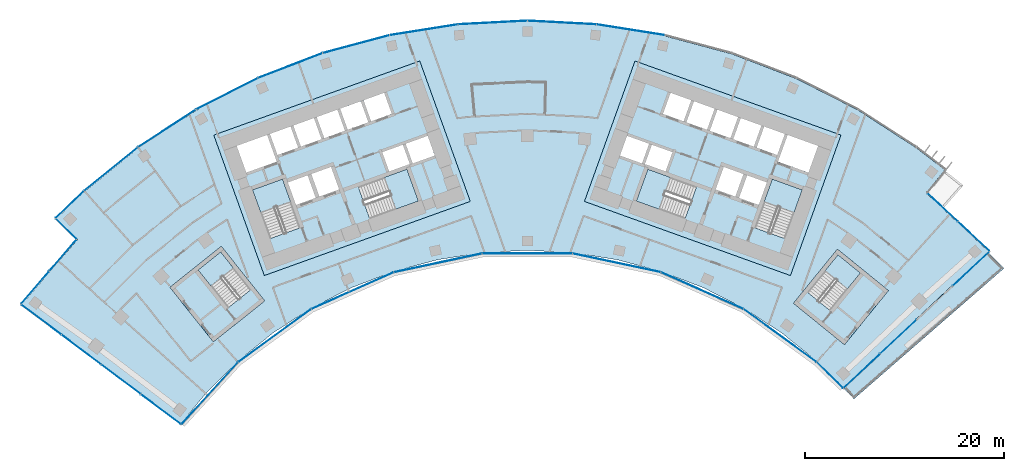
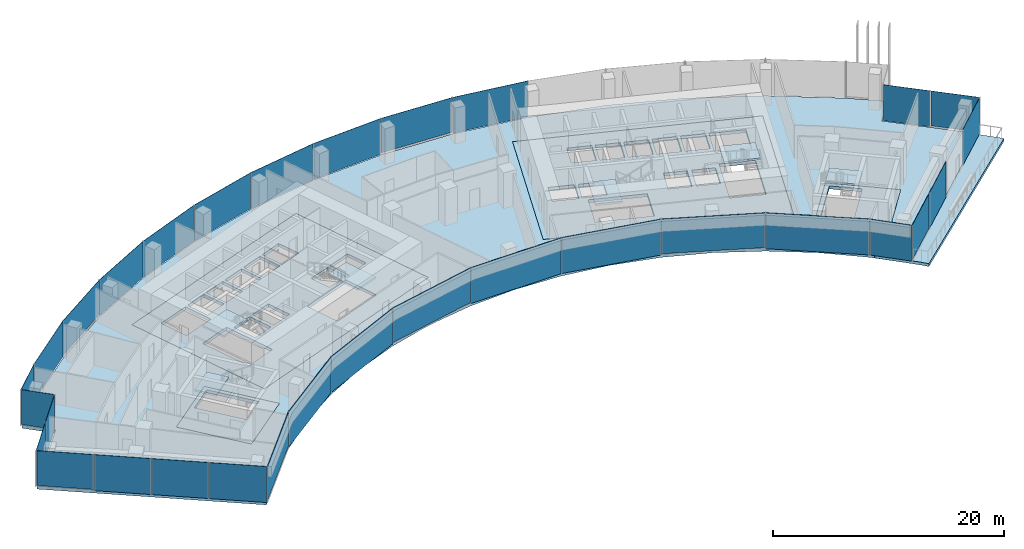
# One storey, part 11 of 20: 31 plates, 12 slabs, 13 elements without a shape of their own.
"""IFC4 building model written with IfcOpenShell, lengths in metres."""

from ifc_helpers import new_model, si_unit, direction, frame, origin, origin_2d, place, context, subcontext, project, spatial, polyline, rectangle, outline, extrude, material, layer, layer_set, type_object, element, aggregate, save


model = new_model("IFC4")

# Units and contexts
model_context = context("Model", 3, precision=1e-05, world=origin(), true_north=direction((0.0, 1.0)))
body_context = subcontext(model_context, "Body", "Model", "MODEL_VIEW")
ifc_project = project(units=[si_unit("LENGTHUNIT", "METRE"), si_unit("AREAUNIT", "SQUARE_METRE"), si_unit("VOLUMEUNIT", "CUBIC_METRE"), si_unit("PLANEANGLEUNIT", "RADIAN"), si_unit("MASSUNIT", "GRAM", prefix="KILO")], contexts=[model_context])

# Site, building, storey
site_placement = place(None, origin())
site = spatial("IfcSite", under=ifc_project, at=site_placement, CompositionType="ELEMENT")
building_placement = place(site_placement, origin())
building = spatial("IfcBuilding", under=site, at=building_placement, Name="Stone Belt Terrace Tower", CompositionType="ELEMENT")
storey_placement = place(building_placement, frame((0.0, 0.0, 182.0)))
storey = spatial("IfcBuildingStorey", under=building, at=storey_placement, Name="L44", CompositionType="ELEMENT", Elevation=182.0)

# Curtain wall, plates
ifc_material_1 = material(Name="Aluminium 6063-T6 anodised frame", Category="aluminium")
ifc_layer_1 = layer(ifc_material_1, 0.14990234375)
ifc_layer_set_1 = layer_set([ifc_layer_1], Name="CW-A unitised convex-face curtain wall")
curtain_wall_type_1 = type_object("IfcCurtainWallType", Name="CW-A unitised convex-face curtain wall", PredefinedType="NOTDEFINED", material=ifc_layer_set_1)
curtain_wall_1_placement = place(storey_placement, origin())
curtain_wall_1 = element("IfcCurtainWall", 1, at=curtain_wall_1_placement, inside=storey, type_object=curtain_wall_type_1, Name="CW-A convex face L44", PredefinedType="NOTDEFINED")
ifc_material_2 = material(Name="Clear double glazed unit")
ifc_layer_2 = layer(ifc_material_2, 0.031982421875)
ifc_layer_set_2 = layer_set([ifc_layer_2], Name="CW-A glass panel 32")
plate_type_1 = type_object("IfcPlateType", Name="CW-A glass panel 32", PredefinedType="CURTAIN_PANEL", material=ifc_layer_set_2)
plate_1_placement = place(storey_placement, frame((10.400390625, 65.665283203125, 0.0), z_axis=(0.0, 0.0, 1.0), x_axis=(-0.987688340595, 0.15643446504, 0.0)))
plate_1 = element("IfcPlate", 2, at=plate_1_placement, type_object=plate_type_1, Name="CW-A panel 6.1", PredefinedType="CURTAIN_PANEL", context=body_context, shape_type="SweptSolid", body=[
    extrude(rectangle(XDim=6.90087890625, YDim=0.031982421875, at=origin_2d()), origin(), (0.0, 0.0, 1.0), 3.800048828125),
])
plate_2_placement = place(storey_placement, frame((3.4794921875, 66.392822265625, 0.14013671875), z_axis=(0.0, 0.0, 1.0), x_axis=(-0.998629534755, 0.052335956243, 0.0)))
plate_2 = element("IfcPlate", 3, at=plate_2_placement, type_object=plate_type_1, Name="CW-A panel 7.1", PredefinedType="CURTAIN_PANEL", context=body_context, shape_type="SweptSolid", body=[
    extrude(rectangle(XDim=6.90087890625, YDim=0.031982421875, at=origin_2d()), origin(), (0.0, 0.0, 1.0), 3.659912109375),
])
plate_3_placement = place(storey_placement, frame((-3.4794921875, 66.392822265625, 0.0), z_axis=(0.0, 0.0, 1.0), x_axis=(-0.998629534755, -0.052335956243, 0.0)))
plate_3 = element("IfcPlate", 4, at=plate_3_placement, type_object=plate_type_1, Name="CW-A panel 8.1", PredefinedType="CURTAIN_PANEL", context=body_context, shape_type="SweptSolid", body=[
    extrude(rectangle(XDim=6.90087890625, YDim=0.031982421875, at=origin_2d()), origin(), (0.0, 0.0, 1.0), 3.800048828125),
])
plate_4_placement = place(storey_placement, frame((-10.400390625, 65.665283203125, 0.0), z_axis=(0.0, 0.0, 1.0), x_axis=(-0.987688340595, -0.15643446504, 0.0)))
plate_4 = element("IfcPlate", 5, at=plate_4_placement, type_object=plate_type_1, Name="CW-A panel 9.1", PredefinedType="CURTAIN_PANEL", context=body_context, shape_type="SweptSolid", body=[
    extrude(rectangle(XDim=6.90087890625, YDim=0.031982421875, at=origin_2d()), origin(), (0.0, 0.0, 1.0), 3.800048828125),
])
plate_5_placement = place(storey_placement, frame((-17.207275390625, 64.218505859375, 0.0), z_axis=(0.0, 0.0, 1.0), x_axis=(-0.965925826289, -0.258819045103, 0.0)))
plate_5 = element("IfcPlate", 6, at=plate_5_placement, type_object=plate_type_1, Name="CW-A panel 10.1", PredefinedType="CURTAIN_PANEL", context=body_context, shape_type="SweptSolid", body=[
    extrude(rectangle(XDim=6.90087890625, YDim=0.031982421875, at=origin_2d()), origin(), (0.0, 0.0, 1.0), 3.800048828125),
])
plate_6_placement = place(storey_placement, frame((-23.82568359375, 62.068115234375, 0.0), z_axis=(0.0, 0.0, 1.0), x_axis=(-0.933580426497, -0.358367949545, 0.0)))
plate_6 = element("IfcPlate", 7, at=plate_6_placement, type_object=plate_type_1, Name="CW-A panel 11.1", PredefinedType="CURTAIN_PANEL", context=body_context, shape_type="SweptSolid", body=[
    extrude(rectangle(XDim=6.90087890625, YDim=0.031982421875, at=origin_2d()), origin(), (0.0, 0.0, 1.0), 3.800048828125),
])
plate_7_placement = place(storey_placement, frame((-30.18310546875, 59.237548828125, 0.0), z_axis=(0.0, 0.0, 1.0), x_axis=(-0.891006524188, -0.45399049974, 0.0)))
plate_7 = element("IfcPlate", 8, at=plate_7_placement, type_object=plate_type_1, Name="CW-A panel 12.1", PredefinedType="CURTAIN_PANEL", context=body_context, shape_type="SweptSolid", body=[
    extrude(rectangle(XDim=6.90087890625, YDim=0.031982421875, at=origin_2d()), origin(), (0.0, 0.0, 1.0), 3.800048828125),
])
plate_8_placement = place(storey_placement, frame((-36.209716796875, 55.758056640625, 0.14013671875), z_axis=(0.0, 0.0, 1.0), x_axis=(-0.838670567945, -0.544639035015, 0.0)))
plate_8 = element("IfcPlate", 9, at=plate_8_placement, type_object=plate_type_1, Name="CW-A panel 13.1", PredefinedType="CURTAIN_PANEL", context=body_context, shape_type="SweptSolid", body=[
    extrude(rectangle(XDim=6.90087890625, YDim=0.031982421875, at=origin_2d()), origin(), (0.0, 0.0, 1.0), 3.659912109375),
])
plate_9_placement = place(storey_placement, frame((-41.839599609375, 51.667724609375, 0.0), z_axis=(0.0, 0.0, 1.0), x_axis=(-0.777145961457, -0.62932039105, 0.0)))
plate_9 = element("IfcPlate", 10, at=plate_9_placement, type_object=plate_type_1, Name="CW-A panel 14.1", PredefinedType="CURTAIN_PANEL", context=body_context, shape_type="SweptSolid", body=[
    extrude(rectangle(XDim=6.900634765625, YDim=0.031982421875, at=origin_2d()), origin(), (0.0, 0.0, 1.0), 3.800048828125),
])
plate_10_placement = place(storey_placement, frame((-45.9765625, 48.109619140625, 0.0), z_axis=(0.0, 0.0, 1.0), x_axis=(-0.723120883539, -0.690721497993, 0.0)))
plate_10 = element("IfcPlate", 11, at=plate_10_placement, type_object=plate_type_1, Name="CW-A panel 15.1", PredefinedType="CURTAIN_PANEL", context=body_context, shape_type="SweptSolid", body=[
    extrude(rectangle(XDim=3.888671875, YDim=0.031982421875, at=origin_2d()), origin(), (0.0, 0.0, 1.0), 3.800048828125),
])
aggregate(curtain_wall_1, [plate_1, plate_2, plate_3, plate_4, plate_5, plate_6, plate_7, plate_8, plate_9, plate_10])

ifc_layer_3 = layer(ifc_material_1, 0.14990234375)
ifc_layer_set_3 = layer_set([ifc_layer_3], Name="CW-B unitised concave-face curtain wall")
curtain_wall_type_2 = type_object("IfcCurtainWallType", Name="CW-B unitised concave-face curtain wall", PredefinedType="NOTDEFINED", material=ifc_layer_set_3)
curtain_wall_2_placement = place(storey_placement, origin())
curtain_wall_2 = element("IfcCurtainWall", 12, at=curtain_wall_2_placement, inside=storey, type_object=curtain_wall_type_2, Name="CW-B concave face L44", PredefinedType="NOTDEFINED")
ifc_layer_4 = layer(ifc_material_2, 0.030029296875)
ifc_layer_set_4 = layer_set([ifc_layer_4], Name="CW-B glass panel 30")
plate_type_2 = type_object("IfcPlateType", Name="CW-B glass panel 30", PredefinedType="CURTAIN_PANEL", material=ifc_layer_set_4)
plate_11_placement = place(storey_placement, frame((-31.9111328125, 29.148681640625, 0.1201171875), z_axis=(0.0, 0.0, 1.0), x_axis=(0.674760998748, 0.73803630979, 0.0)))
plate_11 = element("IfcPlate", 13, at=plate_11_placement, type_object=plate_type_2, Name="CW-B panel 1.1", PredefinedType="CURTAIN_PANEL", context=body_context, shape_type="SweptSolid", body=[
    extrude(rectangle(XDim=8.39501953125, YDim=0.030029296875, at=origin_2d()), origin(), (0.0, 0.0, 1.0), 3.679931640625),
])
plate_12_placement = place(storey_placement, frame((-25.384765625, 34.938720703125, 0.0), z_axis=(0.0, 0.0, 1.0), x_axis=(0.809016994375, 0.587785252292, 0.0)))
plate_12 = element("IfcPlate", 14, at=plate_12_placement, type_object=plate_type_2, Name="CW-B panel 2.1", PredefinedType="CURTAIN_PANEL", context=body_context, shape_type="SweptSolid", body=[
    extrude(rectangle(XDim=9.013427734375, YDim=0.030029296875, at=origin_2d()), origin(), (0.0, 0.0, 1.0), 3.800048828125),
])
plate_13_placement = place(storey_placement, frame((-17.565673828125, 39.453125, 0.0), z_axis=(0.0, 0.0, 1.0), x_axis=(0.913545457643, 0.406736643076, 0.0)))
plate_13 = element("IfcPlate", 15, at=plate_13_placement, type_object=plate_type_2, Name="CW-B panel 3.1", PredefinedType="CURTAIN_PANEL", context=body_context, shape_type="SweptSolid", body=[
    extrude(rectangle(XDim=9.0126953125, YDim=0.030029296875, at=origin_2d()), origin(), (0.0, 0.0, 1.0), 3.800048828125),
])
plate_14_placement = place(storey_placement, frame((-8.97900390625, 42.242919921875, 0.1201171875), z_axis=(0.0, 0.0, 1.0), x_axis=(0.978147600734, 0.207911690818, 0.0)))
plate_14 = element("IfcPlate", 16, at=plate_14_placement, type_object=plate_type_2, Name="CW-B panel 4.1", PredefinedType="CURTAIN_PANEL", context=body_context, shape_type="SweptSolid", body=[
    extrude(rectangle(XDim=9.0126953125, YDim=0.030029296875, at=origin_2d()), origin(), (0.0, 0.0, 1.0), 3.679931640625),
])
plate_15_placement = place(storey_placement, frame((0.0, 43.186767578125, 0.0), z_axis=(0.0, 0.0, 1.0), x_axis=(1.0, 0.0, 0.0)))
plate_15 = element("IfcPlate", 17, at=plate_15_placement, type_object=plate_type_2, Name="CW-B panel 5.1", PredefinedType="CURTAIN_PANEL", context=body_context, shape_type="SweptSolid", body=[
    extrude(rectangle(XDim=9.0126953125, YDim=0.030029296875, at=origin_2d()), origin(), (0.0, 0.0, 1.0), 3.800048828125),
])
plate_16_placement = place(storey_placement, frame((8.97900390625, 42.242919921875, 0.0), z_axis=(0.0, 0.0, 1.0), x_axis=(0.978147600734, -0.207911690818, 0.0)))
plate_16 = element("IfcPlate", 18, at=plate_16_placement, type_object=plate_type_2, Name="CW-B panel 6.1", PredefinedType="CURTAIN_PANEL", context=body_context, shape_type="SweptSolid", body=[
    extrude(rectangle(XDim=9.0126953125, YDim=0.030029296875, at=origin_2d()), origin(), (0.0, 0.0, 1.0), 3.800048828125),
])
plate_17_placement = place(storey_placement, frame((17.565673828125, 39.453125, 0.1201171875), z_axis=(0.0, 0.0, 1.0), x_axis=(0.913545457643, -0.406736643076, 0.0)))
plate_17 = element("IfcPlate", 19, at=plate_17_placement, type_object=plate_type_2, Name="CW-B panel 7.1", PredefinedType="CURTAIN_PANEL", context=body_context, shape_type="SweptSolid", body=[
    extrude(rectangle(XDim=9.0126953125, YDim=0.030029296875, at=origin_2d()), origin(), (0.0, 0.0, 1.0), 3.679931640625),
])
plate_18_placement = place(storey_placement, frame((25.386474609375, 34.9375, 0.0), z_axis=(0.0, 0.0, 1.0), x_axis=(0.809016994375, -0.587785252292, 0.0)))
plate_18 = element("IfcPlate", 20, at=plate_18_placement, type_object=plate_type_2, Name="CW-B panel 8.1", PredefinedType="CURTAIN_PANEL", context=body_context, shape_type="SweptSolid", body=[
    extrude(rectangle(XDim=9.017333984375, YDim=0.030029296875, at=origin_2d()), origin(), (0.0, 0.0, 1.0), 3.800048828125),
])
plate_19_placement = place(storey_placement, frame((30.39013671875, 30.9638671875, 0.0), z_axis=(0.0, 0.0, 1.0), x_axis=(0.713994037945, -0.700151779102, 0.0)))
plate_19 = element("IfcPlate", 21, at=plate_19_placement, type_object=plate_type_2, Name="CW-B panel 9.1", PredefinedType="CURTAIN_PANEL", context=body_context, shape_type="SweptSolid", body=[
    extrude(rectangle(XDim=3.66845703125, YDim=0.030029296875, at=origin_2d()), origin(), (0.0, 0.0, 1.0), 3.800048828125),
])
aggregate(curtain_wall_2, [plate_11, plate_12, plate_13, plate_14, plate_15, plate_16, plate_17, plate_18, plate_19])

ifc_layer_5 = layer(ifc_material_1, 0.14990234375)
ifc_layer_set_5 = layer_set([ifc_layer_5], Name="CW-C stick curtain wall, horn ends and notches")
curtain_wall_type_3 = type_object("IfcCurtainWallType", Name="CW-C stick curtain wall, horn ends and notches", PredefinedType="NOTDEFINED", material=ifc_layer_set_5)
curtain_wall_3_placement = place(storey_placement, origin())
curtain_wall_3 = element("IfcCurtainWall", 22, at=curtain_wall_3_placement, inside=storey, type_object=curtain_wall_type_3, Name="CW-C end face L44", PredefinedType="NOTDEFINED")
ifc_layer_6 = layer(ifc_material_2, 0.028076171875)
ifc_layer_set_6 = layer_set([ifc_layer_6], Name="CW-C glass panel 28")
plate_type_3 = type_object("IfcPlateType", Name="CW-C glass panel 28", PredefinedType="CURTAIN_PANEL", material=ifc_layer_set_6)
plate_20_placement = place(storey_placement, frame((33.616455078125, 31.37890625, 0.1201171875), z_axis=(0.0, 0.0, 1.0), x_axis=(0.729904219708, 0.683549434973, 0.0)))
plate_20 = element("IfcPlate", 23, at=plate_20_placement, type_object=plate_type_3, Name="CW-C panel 1.1", PredefinedType="CURTAIN_PANEL", context=body_context, shape_type="SweptSolid", body=[
    extrude(rectangle(XDim=4.96826171875, YDim=0.028076171875, at=origin_2d()), origin(), (0.0, 0.0, 1.0), 3.679931640625),
])
plate_21_placement = place(storey_placement, frame((37.2763671875, 34.806396484375, 0.0), z_axis=(0.0, 0.0, 1.0), x_axis=(0.729904219708, 0.683549434973, 0.0)))
plate_21 = element("IfcPlate", 24, at=plate_21_placement, type_object=plate_type_3, Name="CW-C panel 2.1", PredefinedType="CURTAIN_PANEL", context=body_context, shape_type="SweptSolid", body=[
    extrude(rectangle(XDim=4.93994140625, YDim=0.028076171875, at=origin_2d()), origin(), (0.0, 0.0, 1.0), 3.800048828125),
])
plate_22_placement = place(storey_placement, frame((44.588134765625, 41.65380859375, 0.0), z_axis=(0.0, 0.0, 1.0), x_axis=(0.729904219708, 0.683549434973, 0.0)))
plate_22 = element("IfcPlate", 25, at=plate_22_placement, type_object=plate_type_3, Name="CW-C panel 4.1", PredefinedType="CURTAIN_PANEL", context=body_context, shape_type="SweptSolid", body=[
    extrude(rectangle(XDim=4.974853515625, YDim=0.028076171875, at=origin_2d()), origin(), (0.0, 0.0, 1.0), 3.800048828125),
])
aggregate(curtain_wall_3, [plate_20, plate_21, plate_22])

curtain_wall_4_placement = place(storey_placement, origin())
curtain_wall_4 = element("IfcCurtainWall", 26, at=curtain_wall_4_placement, inside=storey, type_object=curtain_wall_type_3, Name="CW-C notch face L44", PredefinedType="NOTDEFINED")
plate_23_placement = place(storey_placement, frame((44.8427734375, 44.91259765625, 0.1201171875), z_axis=(0.0, 0.0, 1.0), x_axis=(-0.731339333871, 0.682013767261, 0.0)))
plate_23 = element("IfcPlate", 27, at=plate_23_placement, type_object=plate_type_3, Name="CW-C panel 1.1", PredefinedType="CURTAIN_PANEL", context=body_context, shape_type="SweptSolid", body=[
    extrude(rectangle(XDim=4.268798828125, YDim=0.028076171875, at=origin_2d()), origin(), (0.0, 0.0, 1.0), 3.679931640625),
])
plate_24_placement = place(storey_placement, frame((41.731201171875, 47.814208984375, 0.0), z_axis=(0.0, 0.0, 1.0), x_axis=(-0.731339333871, 0.682013767261, 0.0)))
plate_24 = element("IfcPlate", 28, at=plate_24_placement, type_object=plate_type_3, Name="CW-C panel 2.1", PredefinedType="CURTAIN_PANEL", context=body_context, shape_type="SweptSolid", body=[
    extrude(rectangle(XDim=4.12060546875, YDim=0.028076171875, at=origin_2d()), origin(), (0.0, 0.0, 1.0), 3.800048828125),
])
aggregate(curtain_wall_4, [plate_23, plate_24])

# Curtain wall, plate
curtain_wall_5_placement = place(storey_placement, origin())
curtain_wall_5 = element("IfcCurtainWall", 29, at=curtain_wall_5_placement, inside=storey, type_object=curtain_wall_type_3, Name="CW-C notch face L44", PredefinedType="NOTDEFINED")
plate_25_placement = place(storey_placement, frame((-46.365966796875, 45.658447265625, 0.1201171875), z_axis=(0.0, 0.0, 1.0), x_axis=(0.711713447851, -0.702469905511, 0.0)))
plate_25 = element("IfcPlate", 30, at=plate_25_placement, type_object=plate_type_3, Name="CW-C panel 1.1", PredefinedType="CURTAIN_PANEL", context=body_context, shape_type="SweptSolid", body=[
    extrude(rectangle(XDim=2.859375, YDim=0.028076171875, at=origin_2d()), origin(), (0.0, 0.0, 1.0), 3.679931640625),
])
aggregate(curtain_wall_5, [plate_25])

# Curtain wall, plates
curtain_wall_6_placement = place(storey_placement, origin())
curtain_wall_6 = element("IfcCurtainWall", 31, at=curtain_wall_6_placement, inside=storey, type_object=curtain_wall_type_3, Name="CW-C notch face L44", PredefinedType="NOTDEFINED")
plate_26_placement = place(storey_placement, frame((-46.68896484375, 42.986572265625, 0.1201171875), z_axis=(0.0, 0.0, 1.0), x_axis=(-0.652737860281, -0.757583847343, 0.0)))
plate_26 = element("IfcPlate", 32, at=plate_26_placement, type_object=plate_type_3, Name="CW-C panel 1.1", PredefinedType="CURTAIN_PANEL", context=body_context, shape_type="SweptSolid", body=[
    extrude(rectangle(XDim=4.12060546875, YDim=0.028076171875, at=origin_2d()), origin(), (0.0, 0.0, 1.0), 3.679931640625),
])
plate_27_placement = place(storey_placement, frame((-49.466064453125, 39.76318359375, 0.0), z_axis=(0.0, 0.0, 1.0), x_axis=(-0.652737860281, -0.757583847343, 0.0)))
plate_27 = element("IfcPlate", 33, at=plate_27_placement, type_object=plate_type_3, Name="CW-C panel 2.1", PredefinedType="CURTAIN_PANEL", context=body_context, shape_type="SweptSolid", body=[
    extrude(rectangle(XDim=4.268798828125, YDim=0.028076171875, at=origin_2d()), origin(), (0.0, 0.0, 1.0), 3.800048828125),
])
aggregate(curtain_wall_6, [plate_26, plate_27])

curtain_wall_7_placement = place(storey_placement, origin())
curtain_wall_7 = element("IfcCurtainWall", 34, at=curtain_wall_7_placement, inside=storey, type_object=curtain_wall_type_3, Name="CW-C end face L44", PredefinedType="NOTDEFINED")
plate_28_placement = place(storey_placement, frame((-48.858154296875, 36.551513671875, 0.1201171875), z_axis=(0.0, 0.0, 1.0), x_axis=(0.799986505357, -0.600017992436, 0.0)))
plate_28 = element("IfcPlate", 35, at=plate_28_placement, type_object=plate_type_3, Name="CW-C panel 1.1", PredefinedType="CURTAIN_PANEL", context=body_context, shape_type="SweptSolid", body=[
    extrude(rectangle(XDim=4.974853515625, YDim=0.028076171875, at=origin_2d()), origin(), (0.0, 0.0, 1.0), 3.679931640625),
])
plate_29_placement = place(storey_placement, frame((-44.84423828125, 33.541015625, 0.0), z_axis=(0.0, 0.0, 1.0), x_axis=(0.799986505357, -0.600017992436, 0.0)))
plate_29 = element("IfcPlate", 36, at=plate_29_placement, type_object=plate_type_3, Name="CW-C panel 2.1", PredefinedType="CURTAIN_PANEL", context=body_context, shape_type="SweptSolid", body=[
    extrude(rectangle(XDim=4.93994140625, YDim=0.028076171875, at=origin_2d()), origin(), (0.0, 0.0, 1.0), 3.800048828125),
])
plate_30_placement = place(storey_placement, frame((-40.84423828125, 30.541015625, 0.0), z_axis=(0.0, 0.0, 1.0), x_axis=(0.799986505357, -0.600017992436, 0.0)))
plate_30 = element("IfcPlate", 37, at=plate_30_placement, type_object=plate_type_3, Name="CW-C panel 3.1", PredefinedType="CURTAIN_PANEL", context=body_context, shape_type="SweptSolid", body=[
    extrude(rectangle(XDim=4.93994140625, YDim=0.028076171875, at=origin_2d()), origin(), (0.0, 0.0, 1.0), 3.800048828125),
])
plate_31_placement = place(storey_placement, frame((-36.834228515625, 27.533203125, 0.0), z_axis=(0.0, 0.0, 1.0), x_axis=(0.799986505357, -0.600017992436, 0.0)))
plate_31 = element("IfcPlate", 38, at=plate_31_placement, type_object=plate_type_3, Name="CW-C panel 4.1", PredefinedType="CURTAIN_PANEL", context=body_context, shape_type="SweptSolid", body=[
    extrude(rectangle(XDim=4.96533203125, YDim=0.028076171875, at=origin_2d()), origin(), (0.0, 0.0, 1.0), 3.800048828125),
])
aggregate(curtain_wall_7, [plate_28, plate_29, plate_30, plate_31])

# Slabs
ifc_material_3 = material(Name="Concrete B40", Category="concrete")
ifc_layer_7 = layer(ifc_material_3, 0.320068359375)
ifc_layer_set_7 = layer_set([ifc_layer_7], Name="Core floor slab 320")
slab_type_1 = type_object("IfcSlabType", Name="Core floor slab 320", PredefinedType="FLOOR", material=ifc_layer_set_7)
slab_1_placement = place(storey_placement, frame((0.0, 0.0, -0.320068359375)))
element("IfcSlab", 39, at=slab_1_placement, inside=storey, type_object=slab_type_1, Name="Core A floor L44", PredefinedType="FLOOR", context=body_context, shape_type="SweptSolid", body=[
    extrude(outline(polyline([(-26.43505859375, 40.968994140625), (-5.735107421875, 48.4189453125), (-10.81396484375, 62.531982421875), (-31.513916015625, 55.0830078125), (-26.43505859375, 40.968994140625)]), holes=[polyline([(-24.60791015625, 50.659912109375), (-22.847900390625, 45.76806640625), (-25.85888671875, 44.68408203125), (-27.618896484375, 49.575927734375), (-24.60791015625, 50.659912109375)]), polyline([(-23.25, 48.06689453125), (-24.06298828125, 50.324951171875), (-22.0869140625, 51.035888671875), (-21.27392578125, 48.778076171875), (-23.25, 48.06689453125)]), polyline([(-20.89794921875, 48.9130859375), (-21.7109375, 51.1708984375), (-19.735107421875, 51.883056640625), (-18.922119140625, 49.6240234375), (-20.89794921875, 48.9130859375)]), polyline([(-28.24609375, 51.31689453125), (-29.2109375, 53.9990234375), (-26.153076171875, 55.09912109375), (-25.18798828125, 52.41796875), (-28.24609375, 51.31689453125)]), polyline([(-23.801025390625, 55.946044921875), (-23.0390625, 53.8291015625), (-25.10888671875, 53.083984375), (-25.87109375, 55.200927734375), (-23.801025390625, 55.946044921875)]), polyline([(-21.447998046875, 56.7919921875), (-20.68603515625, 54.675048828125), (-22.756103515625, 53.929931640625), (-23.51806640625, 56.047119140625), (-21.447998046875, 56.7919921875)]), polyline([(-10.955078125, 48.452880859375), (-15.846923828125, 46.69189453125), (-16.998046875, 49.89208984375), (-12.10595703125, 51.652099609375), (-10.955078125, 48.452880859375)]), polyline([(-11.847900390625, 52.116943359375), (-11.864990234375, 52.1640625), (-13.887939453125, 51.43603515625), (-14.58203125, 53.364990234375), (-12.511962890625, 54.110107421875), (-11.801025390625, 52.134033203125), (-11.847900390625, 52.116943359375)]), polyline([(-9.30810546875, 53.031005859375), (-11.51904296875, 52.235107421875), (-12.22998046875, 54.2109375), (-10.01904296875, 55.007080078125), (-9.30810546875, 53.031005859375)]), polyline([(-21.166015625, 56.89404296875), (-19.095947265625, 57.638916015625), (-18.333984375, 55.52197265625), (-20.404052734375, 54.777099609375), (-21.166015625, 56.89404296875)]), polyline([(-16.743896484375, 58.485107421875), (-15.98193359375, 56.367919921875), (-18.052001953125, 55.623046875), (-18.81396484375, 57.739990234375), (-16.743896484375, 58.485107421875)]), polyline([(-14.39111328125, 59.33203125), (-13.6298828125, 57.215087890625), (-15.699951171875, 56.469970703125), (-16.4609375, 58.5869140625), (-14.39111328125, 59.33203125)])]), origin(), (0.0, 0.0, 1.0), 0.320068359375),
])
slab_2_placement = place(storey_placement, frame((0.0, 0.0, -0.320068359375)))
element("IfcSlab", 40, at=slab_2_placement, inside=storey, type_object=slab_type_1, Name="Core B floor L44", PredefinedType="FLOOR", context=body_context, shape_type="SweptSolid", body=[
    extrude(outline(polyline([(26.43505859375, 40.968994140625), (31.513916015625, 55.0830078125), (10.81396484375, 62.531982421875), (5.735107421875, 48.4189453125), (26.43505859375, 40.968994140625)]), holes=[polyline([(12.10595703125, 51.652099609375), (16.998046875, 49.89208984375), (15.846923828125, 46.69189453125), (10.955078125, 48.452880859375), (12.10595703125, 51.652099609375)]), polyline([(12.511962890625, 54.110107421875), (14.58203125, 53.364990234375), (13.887939453125, 51.43603515625), (11.864990234375, 52.1640625), (11.847900390625, 52.116943359375), (11.801025390625, 52.134033203125), (12.511962890625, 54.110107421875)]), polyline([(9.30810546875, 53.031005859375), (10.01904296875, 55.007080078125), (12.22998046875, 54.2109375), (11.51904296875, 52.235107421875), (9.30810546875, 53.031005859375)]), polyline([(18.333984375, 55.52197265625), (19.095947265625, 57.638916015625), (21.166015625, 56.89404296875), (20.404052734375, 54.777099609375), (18.333984375, 55.52197265625)]), polyline([(16.743896484375, 58.485107421875), (18.81396484375, 57.739990234375), (18.052001953125, 55.623046875), (15.98193359375, 56.367919921875), (16.743896484375, 58.485107421875)]), polyline([(14.39111328125, 59.33203125), (16.4609375, 58.5869140625), (15.699951171875, 56.469970703125), (13.6298828125, 57.215087890625), (14.39111328125, 59.33203125)]), polyline([(27.618896484375, 49.575927734375), (25.85888671875, 44.68408203125), (22.847900390625, 45.76806640625), (24.60791015625, 50.659912109375), (27.618896484375, 49.575927734375)]), polyline([(23.25, 48.06689453125), (21.27392578125, 48.778076171875), (22.0869140625, 51.035888671875), (24.06298828125, 50.324951171875), (23.25, 48.06689453125)]), polyline([(20.89794921875, 48.9130859375), (18.922119140625, 49.6240234375), (19.735107421875, 51.883056640625), (21.7109375, 51.1708984375), (20.89794921875, 48.9130859375)]), polyline([(26.153076171875, 55.09912109375), (29.2109375, 53.9990234375), (28.24609375, 51.31689453125), (25.18798828125, 52.41796875), (26.153076171875, 55.09912109375)]), polyline([(23.801025390625, 55.946044921875), (25.87109375, 55.200927734375), (25.10888671875, 53.083984375), (23.0390625, 53.8291015625), (23.801025390625, 55.946044921875)]), polyline([(21.447998046875, 56.7919921875), (23.51806640625, 56.047119140625), (22.756103515625, 53.929931640625), (20.68603515625, 54.675048828125), (21.447998046875, 56.7919921875)])]), origin(), (0.0, 0.0, 1.0), 0.320068359375),
])
slab_3_placement = place(storey_placement, frame((0.0, 0.0, -0.320068359375)))
element("IfcSlab", 41, at=slab_3_placement, inside=storey, type_object=slab_type_1, Name="Exit stair ST3A floor L44", PredefinedType="FLOOR", context=body_context, shape_type="SweptSolid", body=[
    extrude(outline(polyline([(-26.39404296875, 38.425048828125), (-30.756103515625, 43.89990234375), (-35.91796875, 39.787109375), (-31.555908203125, 34.31298828125), (-26.39404296875, 38.425048828125)]), holes=[polyline([(-27.798095703125, 39.544921875), (-30.06591796875, 37.738037109375), (-33.087890625, 41.531005859375), (-30.820068359375, 43.337890625), (-27.798095703125, 39.544921875)])]), origin(), (0.0, 0.0, 1.0), 0.320068359375),
])
slab_4_placement = place(storey_placement, frame((0.0, 0.0, -0.320068359375)))
element("IfcSlab", 42, at=slab_4_placement, inside=storey, type_object=slab_type_1, Name="Exit stair ST3B floor L44", PredefinedType="FLOOR", context=body_context, shape_type="SweptSolid", body=[
    extrude(outline(polyline([(26.741943359375, 38.18408203125), (31.866943359375, 34.02392578125), (36.278076171875, 39.458984375), (31.154052734375, 43.618896484375), (26.741943359375, 38.18408203125)]), holes=[polyline([(30.407958984375, 37.462890625), (28.156005859375, 39.291015625), (31.2119140625, 43.055908203125), (33.464111328125, 41.22802734375), (30.407958984375, 37.462890625)])]), origin(), (0.0, 0.0, 1.0), 0.320068359375),
])
ifc_layer_8 = layer(ifc_material_3, 0.320068359375)
ifc_layer_set_8 = layer_set([ifc_layer_8], Name="Floor slab 320 B40")
slab_type_2 = type_object("IfcSlabType", Name="Floor slab 320 B40", PredefinedType="FLOOR", material=ifc_layer_set_8)
slab_5_placement = place(storey_placement, frame((0.0, 0.0, -0.320068359375)))
element("IfcSlab", 43, at=slab_5_placement, inside=storey, type_object=slab_type_2, Name="Floor slab L44", PredefinedType="FLOOR", context=body_context, shape_type="SweptSolid", body=[
    extrude(outline(polyline([(-44.497314453125, 49.419189453125), (-39.087646484375, 53.799560546875), (-33.25, 57.5908203125), (-27.048095703125, 60.750732421875), (-20.549560546875, 63.245361328125), (-13.826171875, 65.046875), (-6.951171875, 66.1357421875), (0.0, 66.5), (6.951171875, 66.1357421875), (13.826171875, 65.046875), (20.549560546875, 63.245361328125), (27.048095703125, 60.750732421875), (33.25, 57.5908203125), (39.087646484375, 53.799560546875), (41.961669921875, 51.589599609375), (40.068603515625, 49.26220703125), (46.348876953125, 43.405517578125), (31.750732421875, 29.734375), (29.107177734375, 32.326904296875), (25.568603515625, 35.192138671875), (21.75, 37.672119140625), (17.693115234375, 39.7392578125), (13.442138671875, 41.37109375), (9.044189453125, 42.54931640625), (4.547119140625, 43.26171875), (0.0, 43.5), (-4.547119140625, 43.26171875), (-9.044189453125, 42.54931640625), (-13.442138671875, 41.37109375), (-17.693115234375, 39.7392578125), (-21.75, 37.672119140625), (-25.568603515625, 35.192138671875), (-29.107177734375, 32.326904296875), (-32.326904296875, 29.107177734375), (-34.79931640625, 26.100830078125), (-50.799072265625, 38.10107421875), (-45.19384765625, 44.606689453125), (-47.328857421875, 46.714111328125), (-44.497314453125, 49.419189453125)]), holes=[polyline([(-26.434814453125, 40.968994140625), (-5.734619140625, 48.418701171875), (-10.81396484375, 62.532470703125), (-31.51416015625, 55.082763671875), (-26.434814453125, 40.968994140625)]), polyline([(10.81396484375, 62.532470703125), (5.734619140625, 48.418701171875), (26.434814453125, 40.968994140625), (31.51416015625, 55.082763671875), (10.81396484375, 62.532470703125)]), polyline([(-35.91796875, 39.787353515625), (-31.55615234375, 34.3125), (-26.39404296875, 38.425048828125), (-30.756103515625, 43.89990234375), (-35.91796875, 39.787353515625)]), polyline([(36.2783203125, 39.459228515625), (31.15380859375, 43.61865234375), (26.742431640625, 38.18359375), (31.86669921875, 34.024169921875), (36.2783203125, 39.459228515625)])]), origin(), (0.0, 0.0, 1.0), 0.320068359375),
])

# Stair, slab
stair_type = type_object("IfcStairType", Name="Exit stair 1500", PredefinedType="HALF_TURN_STAIR", material=ifc_material_3)
stair_1_placement = place(storey_placement, origin())
stair_1 = element("IfcStair", 44, at=stair_1_placement, inside=storey, type_object=stair_type, Name="L44 Exit stair 1 core A", PredefinedType="HALF_TURN_STAIR")
ifc_layer_9 = layer(ifc_material_3, 0.199951171875)
ifc_layer_set_9 = layer_set([ifc_layer_9], Name="Stair landing 200")
slab_type_3 = type_object("IfcSlabType", Name="Stair landing 200", PredefinedType="LANDING", material=ifc_layer_set_9)
slab_6_placement = place(storey_placement, frame((0.0, 0.0, 1.699951171875)))
slab_6 = element("IfcSlab", 45, at=slab_6_placement, type_object=slab_type_3, Name="ST1A landing 1", PredefinedType="LANDING", context=body_context, shape_type="SweptSolid", body=[
    extrude(outline(polyline([(-23.79541015625, 48.40087890625), (-24.6083984375, 50.659912109375), (-27.619384765625, 49.576171875), (-26.806396484375, 47.3173828125), (-23.79541015625, 48.40087890625)])), origin(), (0.0, 0.0, 1.0), 0.199951171875),
])
aggregate(stair_1, [slab_6])

stair_2_placement = place(storey_placement, origin())
stair_2 = element("IfcStair", 46, at=stair_2_placement, inside=storey, type_object=stair_type, Name="L44 Exit stair 2 core A", PredefinedType="HALF_TURN_STAIR")
slab_7_placement = place(storey_placement, frame((0.0, 0.0, 1.699951171875)))
slab_7 = element("IfcSlab", 47, at=slab_7_placement, type_object=slab_type_3, Name="ST2A landing 1", PredefinedType="LANDING", context=body_context, shape_type="SweptSolid", body=[
    extrude(outline(polyline([(-13.213623046875, 47.64013671875), (-10.95458984375, 48.453125), (-12.10595703125, 51.652099609375), (-14.36474609375, 50.839111328125), (-13.213623046875, 47.64013671875)])), origin(), (0.0, 0.0, 1.0), 0.199951171875),
])
aggregate(stair_2, [slab_7])

stair_3_placement = place(storey_placement, origin())
stair_3 = element("IfcStair", 48, at=stair_3_placement, inside=storey, type_object=stair_type, Name="L44 Exit stair 1 core B", PredefinedType="HALF_TURN_STAIR")
slab_8_placement = place(storey_placement, frame((0.0, 0.0, 1.699951171875)))
slab_8 = element("IfcSlab", 49, at=slab_8_placement, type_object=slab_type_3, Name="ST1B landing 1", PredefinedType="LANDING", context=body_context, shape_type="SweptSolid", body=[
    extrude(outline(polyline([(26.806396484375, 47.3173828125), (27.619384765625, 49.576171875), (24.6083984375, 50.659912109375), (23.79541015625, 48.40087890625), (26.806396484375, 47.3173828125)])), origin(), (0.0, 0.0, 1.0), 0.199951171875),
])
aggregate(stair_3, [slab_8])

stair_4_placement = place(storey_placement, origin())
stair_4 = element("IfcStair", 50, at=stair_4_placement, inside=storey, type_object=stair_type, Name="L44 Exit stair 2 core B", PredefinedType="HALF_TURN_STAIR")
slab_9_placement = place(storey_placement, frame((0.0, 0.0, 1.699951171875)))
slab_9 = element("IfcSlab", 51, at=slab_9_placement, type_object=slab_type_3, Name="ST2B landing 1", PredefinedType="LANDING", context=body_context, shape_type="SweptSolid", body=[
    extrude(outline(polyline([(14.36474609375, 50.839111328125), (12.10595703125, 51.652099609375), (10.95458984375, 48.453125), (13.213623046875, 47.64013671875), (14.36474609375, 50.839111328125)])), origin(), (0.0, 0.0, 1.0), 0.199951171875),
])
aggregate(stair_4, [slab_9])

stair_5_placement = place(storey_placement, origin())
stair_5 = element("IfcStair", 52, at=stair_5_placement, inside=storey, type_object=stair_type, Name="L44 Exit stair 3A", PredefinedType="HALF_TURN_STAIR")
slab_10_placement = place(storey_placement, frame((0.0, 0.0, 1.699951171875)))
slab_10 = element("IfcSlab", 53, at=slab_10_placement, type_object=slab_type_3, Name="ST3A landing 1", PredefinedType="LANDING", context=body_context, shape_type="SweptSolid", body=[
    extrude(outline(polyline([(-29.541748046875, 41.73388671875), (-30.819580078125, 43.337890625), (-33.087646484375, 41.53076171875), (-31.809814453125, 39.9267578125), (-29.541748046875, 41.73388671875)])), origin(), (0.0, 0.0, 1.0), 0.199951171875),
])
aggregate(stair_5, [slab_10])

stair_6_placement = place(storey_placement, origin())
stair_6 = element("IfcStair", 54, at=stair_6_placement, inside=storey, type_object=stair_type, Name="L44 Exit stair 3B", PredefinedType="HALF_TURN_STAIR")
slab_11_placement = place(storey_placement, frame((0.0, 0.0, 1.699951171875)))
slab_11 = element("IfcSlab", 55, at=slab_11_placement, type_object=slab_type_3, Name="ST3B landing 1", PredefinedType="LANDING", context=body_context, shape_type="SweptSolid", body=[
    extrude(outline(polyline([(32.17138671875, 39.635986328125), (33.4638671875, 41.228271484375), (31.21240234375, 43.055908203125), (29.919921875, 41.463623046875), (32.17138671875, 39.635986328125)])), origin(), (0.0, 0.0, 1.0), 0.199951171875),
])
aggregate(stair_6, [slab_11])

# Slab
ifc_layer_10 = layer(ifc_material_3, 0.300048828125)
ifc_layer_set_10 = layer_set([ifc_layer_10], Name="Terrace slab 300 B40")
slab_type_4 = type_object("IfcSlabType", Name="Terrace slab 300 B40", PredefinedType="FLOOR", material=ifc_layer_set_10)
slab_12_placement = place(storey_placement, frame((0.0, 0.0, -0.300048828125)))
element("IfcSlab", 56, at=slab_12_placement, inside=storey, type_object=slab_type_4, Name="Terrace slab L44-stack_terrace-1", PredefinedType="FLOOR", context=body_context, shape_type="SweptSolid", body=[
    extrude(outline(polyline([(32.810791015625, 28.560302734375), (47.896240234375, 41.691650390625), (46.265380859375, 43.327392578125), (31.750732421875, 29.734375), (29.391845703125, 32.047607421875), (29.38916015625, 32.044921875), (32.326904296875, 29.107177734375), (32.810791015625, 28.560302734375)])), origin(), (0.0, 0.0, 1.0), 0.300048828125),
])

save(model, "model.ifc")
